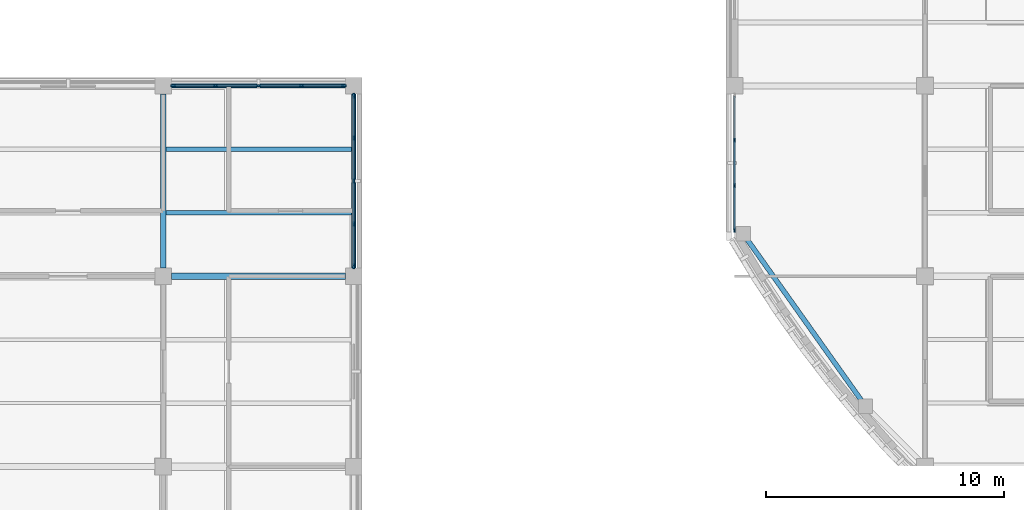
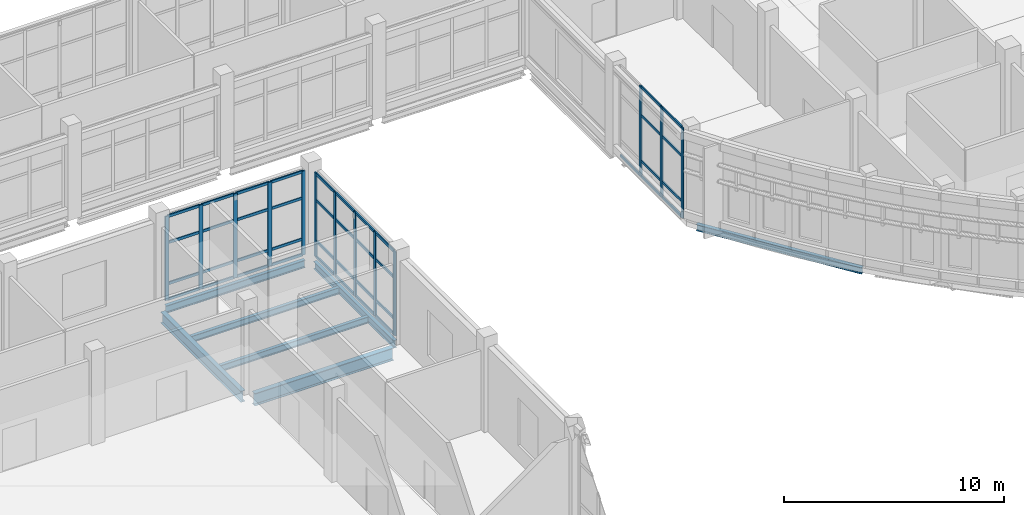
# One storey, part 13 of 105: 54 members, 7 beams, 3 elements without a shape of their own.
"""IFC4 building model written with IfcOpenShell, lengths in metres."""

from ifc_helpers import new_model, si_unit, derived_unit, direction, frame, origin, origin_2d, place, context, subcontext, project, spatial, rectangle, i_section, extrude, material, layer, layer_set, material_profile, profile_set, type_object, element, aggregate, save


model = new_model("IFC4")

# Units and contexts
model_context = context("Model", 3, precision=1e-05, world=origin(), true_north=direction((0.0, 1.0)))
body_context = subcontext(model_context, "Body", "Model", "MODEL_VIEW")
ifc_project = project(units=[si_unit("LENGTHUNIT", "METRE"), si_unit("AREAUNIT", "SQUARE_METRE"), si_unit("VOLUMEUNIT", "CUBIC_METRE"), si_unit("PLANEANGLEUNIT", "RADIAN"), si_unit("MASSUNIT", "GRAM", prefix="KILO"), derived_unit("THERMALTRANSMITTANCEUNIT", [(si_unit("MASSUNIT", "GRAM", prefix="KILO"), 1), (si_unit("TIMEUNIT", "SECOND"), -3), (si_unit("THERMODYNAMICTEMPERATUREUNIT", "KELVIN"), -1)])], contexts=[model_context])

# Site, building, storey
site_placement = place(None, origin())
site = spatial("IfcSite", under=ifc_project, at=site_placement, CompositionType="ELEMENT")
building_placement = place(site_placement, origin())
building = spatial("IfcBuilding", under=site, at=building_placement, Name="Veyamyaing Civic Hall", CompositionType="ELEMENT")
storey_placement = place(building_placement, origin())
storey = spatial("IfcBuildingStorey", under=building, at=storey_placement, Name="L00", CompositionType="ELEMENT", Elevation=0.0)

# Beams
ifc_material_1 = material(Name="Steel ASTM A992", Category="steel")
ifc_material_profile_1 = material_profile(ifc_material_1, i_section(OverallWidth=0.256103515625, OverallDepth=0.693115234375, WebThickness=0.014404296875, FlangeThickness=0.023681640625, FilletRadius=0.013916015625, at=origin_2d()), Name="W690X170")
ifc_profile_set_1 = profile_set([ifc_material_profile_1], Name="Steel ASTM A992")
beam_type_1 = type_object("IfcBeamType", Name="B-04", PredefinedType="BEAM", material=ifc_profile_set_1)
beam_1_placement = place(storey_placement, frame((32.35009765625, 32.0, -0.611572265625), z_axis=(1.0, 0.0, 0.0), x_axis=(0.0, 1.0, 0.0)))
element("IfcBeam", 1, at=beam_1_placement, inside=storey, type_object=beam_type_1, Name="Girder B-04 L00 Grid E 5-6", PredefinedType="BEAM", context=body_context, shape_type="SweptSolid", body=[
    extrude(i_section(OverallWidth=0.256103515625, OverallDepth=0.693115234375, WebThickness=0.014404296875, FlangeThickness=0.023681640625, FilletRadius=0.013916015625, at=origin_2d()), origin(), (0.0, 0.0, 1.0), 7.2998046875),
])
ifc_material_profile_2 = material_profile(ifc_material_1, i_section(OverallWidth=0.22998046875, OverallDepth=0.616943359375, WebThickness=0.01318359375, FlangeThickness=0.022216796875, FilletRadius=0.012939453125, at=origin_2d()), Name="W610X140")
ifc_profile_set_2 = profile_set([ifc_material_profile_2], Name="Steel ASTM A992")
beam_type_2 = type_object("IfcBeamType", Name="B-05", PredefinedType="BEAM", material=ifc_profile_set_2)
beam_2_placement = place(storey_placement, frame((32.0, 32.35009765625, -0.573486328125), z_axis=(0.0, 1.0, 0.0), x_axis=(-1.0, 0.0, 0.0)))
element("IfcBeam", 2, at=beam_2_placement, inside=storey, type_object=beam_type_2, Name="Girder B-05 L00 Grid 5 E-F", PredefinedType="BEAM", context=body_context, shape_type="SweptSolid", body=[
    extrude(i_section(OverallWidth=0.22998046875, OverallDepth=0.616943359375, WebThickness=0.01318359375, FlangeThickness=0.022216796875, FilletRadius=0.012939453125, at=origin_2d()), origin(), (0.0, 0.0, 1.0), 7.2998046875),
])
ifc_material_profile_3 = material_profile(ifc_material_1, i_section(OverallWidth=0.2041015625, OverallDepth=0.35009765625, WebThickness=0.0078125, FlangeThickness=0.01513671875, FilletRadius=0.010009765625, at=origin_2d()), Name="W360X72")
ifc_profile_set_3 = profile_set([ifc_material_profile_3], Name="Steel ASTM A992")
beam_type_3 = type_object("IfcBeamType", Name="B-11", PredefinedType="SPANDREL", material=ifc_profile_set_3)
beam_3_placement = place(storey_placement, frame((56.537353515625, 33.53466796875, -0.449951171875), z_axis=(0.578662285773, -0.815567262109, 0.0), x_axis=(0.815567262109, 0.578662285773, 0.0)))
element("IfcBeam", 3, at=beam_3_placement, inside=storey, type_object=beam_type_3, Name="Curved corner spandrel B-11 L00 SW.1", PredefinedType="SPANDREL", context=body_context, shape_type="SweptSolid", body=[
    extrude(i_section(OverallWidth=0.2041015625, OverallDepth=0.35009765625, WebThickness=0.0078125, FlangeThickness=0.01513671875, FilletRadius=0.010009765625, at=origin_2d()), origin(), (0.0, 0.0, 1.0), 8.284423828125),
])
ifc_material_profile_4 = material_profile(ifc_material_1, i_section(OverallWidth=0.180908203125, OverallDepth=0.4169921875, WebThickness=0.010986328125, FlangeThickness=0.018310546875, FilletRadius=0.010009765625, at=origin_2d()), Name="W410X85")
ifc_profile_set_4 = profile_set([ifc_material_profile_4], Name="Steel ASTM A992")
beam_type_4 = type_object("IfcBeamType", Name="B-19", PredefinedType="SPANDREL", material=ifc_profile_set_4)
for number, where, z_axis, x_axis, name in (
    (4, (32.35009765625, 40.0, -0.473388671875), (1.0, 0.0, 0.0), (0.0, 1.0, 0.0), "Girder B-19 L00 Grid F 5-6"),
    (5, (40.0, 32.35009765625, -0.473388671875), (0.0, 1.0, 0.0), (-1.0, 0.0, 0.0), "Girder B-19 L00 Grid 6 E-F"),
):
    element("IfcBeam", number, at=place(storey_placement, frame(where, z_axis=z_axis, x_axis=x_axis)), inside=storey, type_object=beam_type_4, Name=name, PredefinedType="SPANDREL", context=body_context, shape_type="SweptSolid", body=[
        extrude(i_section(OverallWidth=0.180908203125, OverallDepth=0.4169921875, WebThickness=0.010986328125, FlangeThickness=0.018310546875, FilletRadius=0.010009765625, at=origin_2d()), origin(), (0.0, 0.0, 1.0), 7.2998046875),
    ])

# Curtain wall, members
ifc_material_2 = material(Name="Anodised aluminium 6063-T6", Category="aluminium")
ifc_layer_1 = layer(ifc_material_2, 0.179931640625, Name="Anodised aluminium 6063-T6")
ifc_layer_set_1 = layer_set([ifc_layer_1], Name="Anodised aluminium 6063-T6")
curtain_wall_type_1 = type_object("IfcCurtainWallType", Name="CW-06", PredefinedType="NOTDEFINED", material=ifc_layer_set_1)
curtain_wall_1_placement = place(storey_placement, origin())
curtain_wall_1 = element("IfcCurtainWall", 6, at=curtain_wall_1_placement, inside=storey, type_object=curtain_wall_type_1, Name="Unitized curtain wall CW-06 L00 W 8.5", PredefinedType="NOTDEFINED")
ifc_material_profile_5 = material_profile(ifc_material_2, rectangle(XDim=0.06494140625, YDim=0.179931640625, at=origin_2d()), Name="ALU-MUL-65X180")
ifc_profile_set_5 = profile_set([ifc_material_profile_5], Name="Anodised aluminium 6063-T6")
member_type_1 = type_object("IfcMemberType", Name="CWM-02", PredefinedType="MULLION", material=ifc_profile_set_5)
member_1_placement = place(storey_placement, frame((56.0, 33.931640625, 0.0), z_axis=(0.0, 0.0, 1.0), x_axis=(-1.0, 0.0, 0.0)))
member_1 = element("IfcMember", 7, at=member_1_placement, type_object=member_type_1, Name="CW-06 mullion 1", PredefinedType="MULLION", context=body_context, shape_type="SweptSolid", body=[
    extrude(rectangle(XDim=0.06494140625, YDim=0.179931640625, at=origin_2d()), origin(), (0.0, 0.0, 1.0), 5.034912109375),
])
member_2_placement = place(storey_placement, frame((56.0, 35.80615234375, 0.0), z_axis=(0.0, 0.0, 1.0), x_axis=(-1.0, 0.0, 0.0)))
member_2 = element("IfcMember", 8, at=member_2_placement, type_object=member_type_1, Name="CW-06 mullion 2", PredefinedType="MULLION", context=body_context, shape_type="SweptSolid", body=[
    extrude(rectangle(XDim=0.06494140625, YDim=0.179931640625, at=origin_2d()), origin(), (0.0, 0.0, 1.0), 5.034912109375),
])
member_3_placement = place(storey_placement, frame((56.0, 37.713134765625, 0.0), z_axis=(0.0, 0.0, 1.0), x_axis=(-1.0, 0.0, 0.0)))
member_3 = element("IfcMember", 9, at=member_3_placement, type_object=member_type_1, Name="CW-06 mullion 3", PredefinedType="MULLION", context=body_context, shape_type="SweptSolid", body=[
    extrude(rectangle(XDim=0.06494140625, YDim=0.179931640625, at=origin_2d()), origin(), (0.0, 0.0, 1.0), 5.034912109375),
])

ifc_layer_2 = layer(ifc_material_2, 0.199951171875, Name="Anodised aluminium 6063-T6")
ifc_layer_set_2 = layer_set([ifc_layer_2], Name="Anodised aluminium 6063-T6")
curtain_wall_type_2 = type_object("IfcCurtainWallType", Name="CW-10", PredefinedType="NOTDEFINED", material=ifc_layer_set_2)
curtain_wall_2_placement = place(storey_placement, origin())
curtain_wall_2 = element("IfcCurtainWall", 10, at=curtain_wall_2_placement, inside=storey, type_object=curtain_wall_type_2, Name="Unitized curtain wall CW-10 L00 N 5.5", PredefinedType="NOTDEFINED")
ifc_material_profile_6 = material_profile(ifc_material_2, rectangle(XDim=0.070068359375, YDim=0.199951171875, at=origin_2d()), Name="ALU-MUL-70X200")
ifc_profile_set_6 = profile_set([ifc_material_profile_6], Name="Anodised aluminium 6063-T6")
member_type_2 = type_object("IfcMemberType", Name="CWM-04", PredefinedType="MULLION", material=ifc_profile_set_6)
member_4_placement = place(storey_placement, frame((32.4150390625, 40.0, 0.0), z_axis=(0.0, 0.0, 1.0), x_axis=(0.0, 1.0, 0.0)))
member_4 = element("IfcMember", 11, at=member_4_placement, type_object=member_type_2, Name="CW-10 mullion 1", PredefinedType="MULLION", context=body_context, shape_type="SweptSolid", body=[
    extrude(rectangle(XDim=0.070068359375, YDim=0.199951171875, at=origin_2d()), origin(), (0.0, 0.0, 1.0), 4.674072265625),
])
member_5_placement = place(storey_placement, frame((34.18994140625, 40.0, 0.0), z_axis=(0.0, 0.0, 1.0), x_axis=(0.0, 1.0, 0.0)))
member_5 = element("IfcMember", 12, at=member_5_placement, type_object=member_type_2, Name="CW-10 mullion 2", PredefinedType="MULLION", context=body_context, shape_type="SweptSolid", body=[
    extrude(rectangle(XDim=0.070068359375, YDim=0.199951171875, at=origin_2d()), origin(), (0.0, 0.0, 1.0), 4.674072265625),
])
member_6_placement = place(storey_placement, frame((36.0, 40.0, 0.0), z_axis=(0.0, 0.0, 1.0), x_axis=(0.0, 1.0, 0.0)))
member_6 = element("IfcMember", 13, at=member_6_placement, type_object=member_type_2, Name="CW-10 mullion 3", PredefinedType="MULLION", context=body_context, shape_type="SweptSolid", body=[
    extrude(rectangle(XDim=0.070068359375, YDim=0.199951171875, at=origin_2d()), origin(), (0.0, 0.0, 1.0), 4.674072265625),
])
member_7_placement = place(storey_placement, frame((37.81005859375, 40.0, 0.0), z_axis=(0.0, 0.0, 1.0), x_axis=(0.0, 1.0, 0.0)))
member_7 = element("IfcMember", 14, at=member_7_placement, type_object=member_type_2, Name="CW-10 mullion 4", PredefinedType="MULLION", context=body_context, shape_type="SweptSolid", body=[
    extrude(rectangle(XDim=0.070068359375, YDim=0.199951171875, at=origin_2d()), origin(), (0.0, 0.0, 1.0), 4.674072265625),
])
member_8_placement = place(storey_placement, frame((39.5849609375, 40.0, 0.0), z_axis=(0.0, 0.0, 1.0), x_axis=(0.0, 1.0, 0.0)))
member_8 = element("IfcMember", 15, at=member_8_placement, type_object=member_type_2, Name="CW-10 mullion 5", PredefinedType="MULLION", context=body_context, shape_type="SweptSolid", body=[
    extrude(rectangle(XDim=0.070068359375, YDim=0.199951171875, at=origin_2d()), origin(), (0.0, 0.0, 1.0), 4.674072265625),
])

curtain_wall_3_placement = place(storey_placement, origin())
curtain_wall_3 = element("IfcCurtainWall", 16, at=curtain_wall_3_placement, inside=storey, type_object=curtain_wall_type_2, Name="Unitized curtain wall CW-10 L00 E 5.5", PredefinedType="NOTDEFINED")
member_9_placement = place(storey_placement, frame((40.0, 32.4150390625, 0.0), z_axis=(0.0, 0.0, 1.0), x_axis=(-1.0, 0.0, 0.0)))
member_9 = element("IfcMember", 17, at=member_9_placement, type_object=member_type_2, Name="CW-10 mullion 1", PredefinedType="MULLION", context=body_context, shape_type="SweptSolid", body=[
    extrude(rectangle(XDim=0.070068359375, YDim=0.199951171875, at=origin_2d()), origin(), (0.0, 0.0, 1.0), 4.674072265625),
])
member_10_placement = place(storey_placement, frame((40.0, 34.18994140625, 0.0), z_axis=(0.0, 0.0, 1.0), x_axis=(-1.0, 0.0, 0.0)))
member_10 = element("IfcMember", 18, at=member_10_placement, type_object=member_type_2, Name="CW-10 mullion 2", PredefinedType="MULLION", context=body_context, shape_type="SweptSolid", body=[
    extrude(rectangle(XDim=0.070068359375, YDim=0.199951171875, at=origin_2d()), origin(), (0.0, 0.0, 1.0), 4.674072265625),
])
member_11_placement = place(storey_placement, frame((40.0, 36.0, 0.0), z_axis=(0.0, 0.0, 1.0), x_axis=(-1.0, 0.0, 0.0)))
member_11 = element("IfcMember", 19, at=member_11_placement, type_object=member_type_2, Name="CW-10 mullion 3", PredefinedType="MULLION", context=body_context, shape_type="SweptSolid", body=[
    extrude(rectangle(XDim=0.070068359375, YDim=0.199951171875, at=origin_2d()), origin(), (0.0, 0.0, 1.0), 4.674072265625),
])
member_12_placement = place(storey_placement, frame((40.0, 37.81005859375, 0.0), z_axis=(0.0, 0.0, 1.0), x_axis=(-1.0, 0.0, 0.0)))
member_12 = element("IfcMember", 20, at=member_12_placement, type_object=member_type_2, Name="CW-10 mullion 4", PredefinedType="MULLION", context=body_context, shape_type="SweptSolid", body=[
    extrude(rectangle(XDim=0.070068359375, YDim=0.199951171875, at=origin_2d()), origin(), (0.0, 0.0, 1.0), 4.674072265625),
])
member_13_placement = place(storey_placement, frame((40.0, 39.5849609375, 0.0), z_axis=(0.0, 0.0, 1.0), x_axis=(-1.0, 0.0, 0.0)))
member_13 = element("IfcMember", 21, at=member_13_placement, type_object=member_type_2, Name="CW-10 mullion 5", PredefinedType="MULLION", context=body_context, shape_type="SweptSolid", body=[
    extrude(rectangle(XDim=0.070068359375, YDim=0.199951171875, at=origin_2d()), origin(), (0.0, 0.0, 1.0), 4.674072265625),
])

# Member
ifc_material_profile_7 = material_profile(ifc_material_2, rectangle(XDim=0.06494140625, YDim=0.139892578125, at=origin_2d()), Name="ALU-TRN-65X140")
ifc_profile_set_7 = profile_set([ifc_material_profile_7], Name="Anodised aluminium 6063-T6")
member_type_3 = type_object("IfcMemberType", Name="CWT-02", PredefinedType="USERDEFINED", material=ifc_profile_set_7)
member_14_placement = place(storey_placement, frame((56.0, 33.964111328125, 0.032470703125), z_axis=(0.0, 1.0, 0.0), x_axis=(-1.0, 0.0, 0.0)))
member_14 = element("IfcMember", 22, at=member_14_placement, type_object=member_type_3, Name="CW-06 transom 1.1", ObjectType="TRANSOM", PredefinedType="USERDEFINED", context=body_context, shape_type="SweptSolid", body=[
    extrude(rectangle(XDim=0.06494140625, YDim=0.139892578125, at=origin_2d()), origin(), (0.0, 0.0, 1.0), 1.8095703125),
])

member_15_placement = place(storey_placement, frame((56.0, 33.964111328125, 0.89990234375), z_axis=(0.0, 1.0, 0.0), x_axis=(-1.0, 0.0, 0.0)))
member_15 = element("IfcMember", 23, at=member_15_placement, type_object=member_type_3, Name="CW-06 transom 1.2", ObjectType="TRANSOM", PredefinedType="USERDEFINED", context=body_context, shape_type="SweptSolid", body=[
    extrude(rectangle(XDim=0.06494140625, YDim=0.139892578125, at=origin_2d()), origin(), (0.0, 0.0, 1.0), 1.8095703125),
])

member_16_placement = place(storey_placement, frame((56.0, 33.964111328125, 3.423828125), z_axis=(0.0, 1.0, 0.0), x_axis=(-1.0, 0.0, 0.0)))
member_16 = element("IfcMember", 24, at=member_16_placement, type_object=member_type_3, Name="CW-06 transom 1.3", ObjectType="TRANSOM", PredefinedType="USERDEFINED", context=body_context, shape_type="SweptSolid", body=[
    extrude(rectangle(XDim=0.06494140625, YDim=0.139892578125, at=origin_2d()), origin(), (0.0, 0.0, 1.0), 1.8095703125),
])

member_17_placement = place(storey_placement, frame((56.0, 33.964111328125, 5.00244140625), z_axis=(0.0, 1.0, 0.0), x_axis=(-1.0, 0.0, 0.0)))
member_17 = element("IfcMember", 25, at=member_17_placement, type_object=member_type_3, Name="CW-06 transom 1.4", ObjectType="TRANSOM", PredefinedType="USERDEFINED", context=body_context, shape_type="SweptSolid", body=[
    extrude(rectangle(XDim=0.06494140625, YDim=0.139892578125, at=origin_2d()), origin(), (0.0, 0.0, 1.0), 1.8095703125),
])

member_18_placement = place(storey_placement, frame((56.0, 35.838623046875, 0.032470703125), z_axis=(0.0, 1.0, 0.0), x_axis=(-1.0, 0.0, 0.0)))
member_18 = element("IfcMember", 26, at=member_18_placement, type_object=member_type_3, Name="CW-06 transom 2.1", ObjectType="TRANSOM", PredefinedType="USERDEFINED", context=body_context, shape_type="SweptSolid", body=[
    extrude(rectangle(XDim=0.06494140625, YDim=0.139892578125, at=origin_2d()), origin(), (0.0, 0.0, 1.0), 1.842041015625),
])

member_19_placement = place(storey_placement, frame((56.0, 35.838623046875, 0.89990234375), z_axis=(0.0, 1.0, 0.0), x_axis=(-1.0, 0.0, 0.0)))
member_19 = element("IfcMember", 27, at=member_19_placement, type_object=member_type_3, Name="CW-06 transom 2.2", ObjectType="TRANSOM", PredefinedType="USERDEFINED", context=body_context, shape_type="SweptSolid", body=[
    extrude(rectangle(XDim=0.06494140625, YDim=0.139892578125, at=origin_2d()), origin(), (0.0, 0.0, 1.0), 1.842041015625),
])

member_20_placement = place(storey_placement, frame((56.0, 35.838623046875, 3.423828125), z_axis=(0.0, 1.0, 0.0), x_axis=(-1.0, 0.0, 0.0)))
member_20 = element("IfcMember", 28, at=member_20_placement, type_object=member_type_3, Name="CW-06 transom 2.3", ObjectType="TRANSOM", PredefinedType="USERDEFINED", context=body_context, shape_type="SweptSolid", body=[
    extrude(rectangle(XDim=0.06494140625, YDim=0.139892578125, at=origin_2d()), origin(), (0.0, 0.0, 1.0), 1.842041015625),
])

member_21_placement = place(storey_placement, frame((56.0, 35.838623046875, 5.00244140625), z_axis=(0.0, 1.0, 0.0), x_axis=(-1.0, 0.0, 0.0)))
member_21 = element("IfcMember", 29, at=member_21_placement, type_object=member_type_3, Name="CW-06 transom 2.4", ObjectType="TRANSOM", PredefinedType="USERDEFINED", context=body_context, shape_type="SweptSolid", body=[
    extrude(rectangle(XDim=0.06494140625, YDim=0.139892578125, at=origin_2d()), origin(), (0.0, 0.0, 1.0), 1.842041015625),
])

member_22_placement = place(storey_placement, frame((56.0, 37.74560546875, 0.032470703125), z_axis=(0.0, 1.0, 0.0), x_axis=(-1.0, 0.0, 0.0)))
member_22 = element("IfcMember", 30, at=member_22_placement, type_object=member_type_3, Name="CW-06 transom 3.1", ObjectType="TRANSOM", PredefinedType="USERDEFINED", context=body_context, shape_type="SweptSolid", body=[
    extrude(rectangle(XDim=0.06494140625, YDim=0.139892578125, at=origin_2d()), origin(), (0.0, 0.0, 1.0), 1.809326171875),
])

aggregate(curtain_wall_1, [member_1, member_2, member_3, member_14, member_15, member_16, member_17, member_18, member_19, member_20, member_21, member_22])

ifc_material_profile_8 = material_profile(ifc_material_2, rectangle(XDim=0.070068359375, YDim=0.14990234375, at=origin_2d()), Name="ALU-TRN-70X150")
ifc_profile_set_8 = profile_set([ifc_material_profile_8], Name="Anodised aluminium 6063-T6")
member_type_4 = type_object("IfcMemberType", Name="CWT-04", PredefinedType="USERDEFINED", material=ifc_profile_set_8)
member_23_placement = place(storey_placement, frame((32.449951171875, 40.0, 0.034912109375), z_axis=(1.0, 0.0, 0.0), x_axis=(0.0, 1.0, 0.0)))
member_23 = element("IfcMember", 31, at=member_23_placement, type_object=member_type_4, Name="CW-10 transom 1.1", ObjectType="TRANSOM", PredefinedType="USERDEFINED", context=body_context, shape_type="SweptSolid", body=[
    extrude(rectangle(XDim=0.070068359375, YDim=0.14990234375, at=origin_2d()), origin(), (0.0, 0.0, 1.0), 1.705078125),
])

member_24_placement = place(storey_placement, frame((32.449951171875, 40.0, 0.89990234375), z_axis=(1.0, 0.0, 0.0), x_axis=(0.0, 1.0, 0.0)))
member_24 = element("IfcMember", 32, at=member_24_placement, type_object=member_type_4, Name="CW-10 transom 1.2", ObjectType="TRANSOM", PredefinedType="USERDEFINED", context=body_context, shape_type="SweptSolid", body=[
    extrude(rectangle(XDim=0.070068359375, YDim=0.14990234375, at=origin_2d()), origin(), (0.0, 0.0, 1.0), 1.705078125),
])

member_25_placement = place(storey_placement, frame((32.449951171875, 40.0, 3.17822265625), z_axis=(1.0, 0.0, 0.0), x_axis=(0.0, 1.0, 0.0)))
member_25 = element("IfcMember", 33, at=member_25_placement, type_object=member_type_4, Name="CW-10 transom 1.3", ObjectType="TRANSOM", PredefinedType="USERDEFINED", context=body_context, shape_type="SweptSolid", body=[
    extrude(rectangle(XDim=0.070068359375, YDim=0.14990234375, at=origin_2d()), origin(), (0.0, 0.0, 1.0), 1.705078125),
])

member_26_placement = place(storey_placement, frame((32.449951171875, 40.0, 4.638916015625), z_axis=(1.0, 0.0, 0.0), x_axis=(0.0, 1.0, 0.0)))
member_26 = element("IfcMember", 34, at=member_26_placement, type_object=member_type_4, Name="CW-10 transom 1.4", ObjectType="TRANSOM", PredefinedType="USERDEFINED", context=body_context, shape_type="SweptSolid", body=[
    extrude(rectangle(XDim=0.070068359375, YDim=0.14990234375, at=origin_2d()), origin(), (0.0, 0.0, 1.0), 1.705078125),
])

member_27_placement = place(storey_placement, frame((34.22509765625, 40.0, 0.034912109375), z_axis=(1.0, 0.0, 0.0), x_axis=(0.0, 1.0, 0.0)))
member_27 = element("IfcMember", 35, at=member_27_placement, type_object=member_type_4, Name="CW-10 transom 2.1", ObjectType="TRANSOM", PredefinedType="USERDEFINED", context=body_context, shape_type="SweptSolid", body=[
    extrude(rectangle(XDim=0.070068359375, YDim=0.14990234375, at=origin_2d()), origin(), (0.0, 0.0, 1.0), 1.739990234375),
])

member_28_placement = place(storey_placement, frame((34.22509765625, 40.0, 0.89990234375), z_axis=(1.0, 0.0, 0.0), x_axis=(0.0, 1.0, 0.0)))
member_28 = element("IfcMember", 36, at=member_28_placement, type_object=member_type_4, Name="CW-10 transom 2.2", ObjectType="TRANSOM", PredefinedType="USERDEFINED", context=body_context, shape_type="SweptSolid", body=[
    extrude(rectangle(XDim=0.070068359375, YDim=0.14990234375, at=origin_2d()), origin(), (0.0, 0.0, 1.0), 1.739990234375),
])

member_29_placement = place(storey_placement, frame((34.22509765625, 40.0, 3.17822265625), z_axis=(1.0, 0.0, 0.0), x_axis=(0.0, 1.0, 0.0)))
member_29 = element("IfcMember", 37, at=member_29_placement, type_object=member_type_4, Name="CW-10 transom 2.3", ObjectType="TRANSOM", PredefinedType="USERDEFINED", context=body_context, shape_type="SweptSolid", body=[
    extrude(rectangle(XDim=0.070068359375, YDim=0.14990234375, at=origin_2d()), origin(), (0.0, 0.0, 1.0), 1.739990234375),
])

member_30_placement = place(storey_placement, frame((34.22509765625, 40.0, 4.638916015625), z_axis=(1.0, 0.0, 0.0), x_axis=(0.0, 1.0, 0.0)))
member_30 = element("IfcMember", 38, at=member_30_placement, type_object=member_type_4, Name="CW-10 transom 2.4", ObjectType="TRANSOM", PredefinedType="USERDEFINED", context=body_context, shape_type="SweptSolid", body=[
    extrude(rectangle(XDim=0.070068359375, YDim=0.14990234375, at=origin_2d()), origin(), (0.0, 0.0, 1.0), 1.739990234375),
])

member_31_placement = place(storey_placement, frame((36.034912109375, 40.0, 0.034912109375), z_axis=(1.0, 0.0, 0.0), x_axis=(0.0, 1.0, 0.0)))
member_31 = element("IfcMember", 39, at=member_31_placement, type_object=member_type_4, Name="CW-10 transom 3.1", ObjectType="TRANSOM", PredefinedType="USERDEFINED", context=body_context, shape_type="SweptSolid", body=[
    extrude(rectangle(XDim=0.070068359375, YDim=0.14990234375, at=origin_2d()), origin(), (0.0, 0.0, 1.0), 1.739990234375),
])

member_32_placement = place(storey_placement, frame((36.034912109375, 40.0, 0.89990234375), z_axis=(1.0, 0.0, 0.0), x_axis=(0.0, 1.0, 0.0)))
member_32 = element("IfcMember", 40, at=member_32_placement, type_object=member_type_4, Name="CW-10 transom 3.2", ObjectType="TRANSOM", PredefinedType="USERDEFINED", context=body_context, shape_type="SweptSolid", body=[
    extrude(rectangle(XDim=0.070068359375, YDim=0.14990234375, at=origin_2d()), origin(), (0.0, 0.0, 1.0), 1.739990234375),
])

member_33_placement = place(storey_placement, frame((36.034912109375, 40.0, 3.17822265625), z_axis=(1.0, 0.0, 0.0), x_axis=(0.0, 1.0, 0.0)))
member_33 = element("IfcMember", 41, at=member_33_placement, type_object=member_type_4, Name="CW-10 transom 3.3", ObjectType="TRANSOM", PredefinedType="USERDEFINED", context=body_context, shape_type="SweptSolid", body=[
    extrude(rectangle(XDim=0.070068359375, YDim=0.14990234375, at=origin_2d()), origin(), (0.0, 0.0, 1.0), 1.739990234375),
])

member_34_placement = place(storey_placement, frame((36.034912109375, 40.0, 4.638916015625), z_axis=(1.0, 0.0, 0.0), x_axis=(0.0, 1.0, 0.0)))
member_34 = element("IfcMember", 42, at=member_34_placement, type_object=member_type_4, Name="CW-10 transom 3.4", ObjectType="TRANSOM", PredefinedType="USERDEFINED", context=body_context, shape_type="SweptSolid", body=[
    extrude(rectangle(XDim=0.070068359375, YDim=0.14990234375, at=origin_2d()), origin(), (0.0, 0.0, 1.0), 1.739990234375),
])

member_35_placement = place(storey_placement, frame((37.844970703125, 40.0, 0.034912109375), z_axis=(1.0, 0.0, 0.0), x_axis=(0.0, 1.0, 0.0)))
member_35 = element("IfcMember", 43, at=member_35_placement, type_object=member_type_4, Name="CW-10 transom 4.1", ObjectType="TRANSOM", PredefinedType="USERDEFINED", context=body_context, shape_type="SweptSolid", body=[
    extrude(rectangle(XDim=0.070068359375, YDim=0.14990234375, at=origin_2d()), origin(), (0.0, 0.0, 1.0), 1.705078125),
])

member_36_placement = place(storey_placement, frame((37.844970703125, 40.0, 0.89990234375), z_axis=(1.0, 0.0, 0.0), x_axis=(0.0, 1.0, 0.0)))
member_36 = element("IfcMember", 44, at=member_36_placement, type_object=member_type_4, Name="CW-10 transom 4.2", ObjectType="TRANSOM", PredefinedType="USERDEFINED", context=body_context, shape_type="SweptSolid", body=[
    extrude(rectangle(XDim=0.070068359375, YDim=0.14990234375, at=origin_2d()), origin(), (0.0, 0.0, 1.0), 1.705078125),
])

member_37_placement = place(storey_placement, frame((37.844970703125, 40.0, 3.17822265625), z_axis=(1.0, 0.0, 0.0), x_axis=(0.0, 1.0, 0.0)))
member_37 = element("IfcMember", 45, at=member_37_placement, type_object=member_type_4, Name="CW-10 transom 4.3", ObjectType="TRANSOM", PredefinedType="USERDEFINED", context=body_context, shape_type="SweptSolid", body=[
    extrude(rectangle(XDim=0.070068359375, YDim=0.14990234375, at=origin_2d()), origin(), (0.0, 0.0, 1.0), 1.705078125),
])

member_38_placement = place(storey_placement, frame((37.844970703125, 40.0, 4.638916015625), z_axis=(1.0, 0.0, 0.0), x_axis=(0.0, 1.0, 0.0)))
member_38 = element("IfcMember", 46, at=member_38_placement, type_object=member_type_4, Name="CW-10 transom 4.4", ObjectType="TRANSOM", PredefinedType="USERDEFINED", context=body_context, shape_type="SweptSolid", body=[
    extrude(rectangle(XDim=0.070068359375, YDim=0.14990234375, at=origin_2d()), origin(), (0.0, 0.0, 1.0), 1.705078125),
])

aggregate(curtain_wall_2, [member_4, member_5, member_6, member_7, member_8, member_23, member_24, member_25, member_26, member_27, member_28, member_29, member_30, member_31, member_32, member_33, member_34, member_35, member_36, member_37, member_38])

member_39_placement = place(storey_placement, frame((40.0, 32.449951171875, 0.034912109375), z_axis=(0.0, 1.0, 0.0), x_axis=(-1.0, 0.0, 0.0)))
member_39 = element("IfcMember", 47, at=member_39_placement, type_object=member_type_4, Name="CW-10 transom 1.1", ObjectType="TRANSOM", PredefinedType="USERDEFINED", context=body_context, shape_type="SweptSolid", body=[
    extrude(rectangle(XDim=0.070068359375, YDim=0.14990234375, at=origin_2d()), origin(), (0.0, 0.0, 1.0), 1.705078125),
])

member_40_placement = place(storey_placement, frame((40.0, 32.449951171875, 0.89990234375), z_axis=(0.0, 1.0, 0.0), x_axis=(-1.0, 0.0, 0.0)))
member_40 = element("IfcMember", 48, at=member_40_placement, type_object=member_type_4, Name="CW-10 transom 1.2", ObjectType="TRANSOM", PredefinedType="USERDEFINED", context=body_context, shape_type="SweptSolid", body=[
    extrude(rectangle(XDim=0.070068359375, YDim=0.14990234375, at=origin_2d()), origin(), (0.0, 0.0, 1.0), 1.705078125),
])

member_41_placement = place(storey_placement, frame((40.0, 32.449951171875, 3.17822265625), z_axis=(0.0, 1.0, 0.0), x_axis=(-1.0, 0.0, 0.0)))
member_41 = element("IfcMember", 49, at=member_41_placement, type_object=member_type_4, Name="CW-10 transom 1.3", ObjectType="TRANSOM", PredefinedType="USERDEFINED", context=body_context, shape_type="SweptSolid", body=[
    extrude(rectangle(XDim=0.070068359375, YDim=0.14990234375, at=origin_2d()), origin(), (0.0, 0.0, 1.0), 1.705078125),
])

member_42_placement = place(storey_placement, frame((40.0, 32.449951171875, 4.638916015625), z_axis=(0.0, 1.0, 0.0), x_axis=(-1.0, 0.0, 0.0)))
member_42 = element("IfcMember", 50, at=member_42_placement, type_object=member_type_4, Name="CW-10 transom 1.4", ObjectType="TRANSOM", PredefinedType="USERDEFINED", context=body_context, shape_type="SweptSolid", body=[
    extrude(rectangle(XDim=0.070068359375, YDim=0.14990234375, at=origin_2d()), origin(), (0.0, 0.0, 1.0), 1.705078125),
])

member_43_placement = place(storey_placement, frame((40.0, 34.22509765625, 0.034912109375), z_axis=(0.0, 1.0, 0.0), x_axis=(-1.0, 0.0, 0.0)))
member_43 = element("IfcMember", 51, at=member_43_placement, type_object=member_type_4, Name="CW-10 transom 2.1", ObjectType="TRANSOM", PredefinedType="USERDEFINED", context=body_context, shape_type="SweptSolid", body=[
    extrude(rectangle(XDim=0.070068359375, YDim=0.14990234375, at=origin_2d()), origin(), (0.0, 0.0, 1.0), 1.739990234375),
])

member_44_placement = place(storey_placement, frame((40.0, 34.22509765625, 0.89990234375), z_axis=(0.0, 1.0, 0.0), x_axis=(-1.0, 0.0, 0.0)))
member_44 = element("IfcMember", 52, at=member_44_placement, type_object=member_type_4, Name="CW-10 transom 2.2", ObjectType="TRANSOM", PredefinedType="USERDEFINED", context=body_context, shape_type="SweptSolid", body=[
    extrude(rectangle(XDim=0.070068359375, YDim=0.14990234375, at=origin_2d()), origin(), (0.0, 0.0, 1.0), 1.739990234375),
])

member_45_placement = place(storey_placement, frame((40.0, 34.22509765625, 3.17822265625), z_axis=(0.0, 1.0, 0.0), x_axis=(-1.0, 0.0, 0.0)))
member_45 = element("IfcMember", 53, at=member_45_placement, type_object=member_type_4, Name="CW-10 transom 2.3", ObjectType="TRANSOM", PredefinedType="USERDEFINED", context=body_context, shape_type="SweptSolid", body=[
    extrude(rectangle(XDim=0.070068359375, YDim=0.14990234375, at=origin_2d()), origin(), (0.0, 0.0, 1.0), 1.739990234375),
])

member_46_placement = place(storey_placement, frame((40.0, 34.22509765625, 4.638916015625), z_axis=(0.0, 1.0, 0.0), x_axis=(-1.0, 0.0, 0.0)))
member_46 = element("IfcMember", 54, at=member_46_placement, type_object=member_type_4, Name="CW-10 transom 2.4", ObjectType="TRANSOM", PredefinedType="USERDEFINED", context=body_context, shape_type="SweptSolid", body=[
    extrude(rectangle(XDim=0.070068359375, YDim=0.14990234375, at=origin_2d()), origin(), (0.0, 0.0, 1.0), 1.739990234375),
])

member_47_placement = place(storey_placement, frame((40.0, 36.034912109375, 0.034912109375), z_axis=(0.0, 1.0, 0.0), x_axis=(-1.0, 0.0, 0.0)))
member_47 = element("IfcMember", 55, at=member_47_placement, type_object=member_type_4, Name="CW-10 transom 3.1", ObjectType="TRANSOM", PredefinedType="USERDEFINED", context=body_context, shape_type="SweptSolid", body=[
    extrude(rectangle(XDim=0.070068359375, YDim=0.14990234375, at=origin_2d()), origin(), (0.0, 0.0, 1.0), 1.739990234375),
])

member_48_placement = place(storey_placement, frame((40.0, 36.034912109375, 0.89990234375), z_axis=(0.0, 1.0, 0.0), x_axis=(-1.0, 0.0, 0.0)))
member_48 = element("IfcMember", 56, at=member_48_placement, type_object=member_type_4, Name="CW-10 transom 3.2", ObjectType="TRANSOM", PredefinedType="USERDEFINED", context=body_context, shape_type="SweptSolid", body=[
    extrude(rectangle(XDim=0.070068359375, YDim=0.14990234375, at=origin_2d()), origin(), (0.0, 0.0, 1.0), 1.739990234375),
])

member_49_placement = place(storey_placement, frame((40.0, 36.034912109375, 3.17822265625), z_axis=(0.0, 1.0, 0.0), x_axis=(-1.0, 0.0, 0.0)))
member_49 = element("IfcMember", 57, at=member_49_placement, type_object=member_type_4, Name="CW-10 transom 3.3", ObjectType="TRANSOM", PredefinedType="USERDEFINED", context=body_context, shape_type="SweptSolid", body=[
    extrude(rectangle(XDim=0.070068359375, YDim=0.14990234375, at=origin_2d()), origin(), (0.0, 0.0, 1.0), 1.739990234375),
])

member_50_placement = place(storey_placement, frame((40.0, 36.034912109375, 4.638916015625), z_axis=(0.0, 1.0, 0.0), x_axis=(-1.0, 0.0, 0.0)))
member_50 = element("IfcMember", 58, at=member_50_placement, type_object=member_type_4, Name="CW-10 transom 3.4", ObjectType="TRANSOM", PredefinedType="USERDEFINED", context=body_context, shape_type="SweptSolid", body=[
    extrude(rectangle(XDim=0.070068359375, YDim=0.14990234375, at=origin_2d()), origin(), (0.0, 0.0, 1.0), 1.739990234375),
])

member_51_placement = place(storey_placement, frame((40.0, 37.844970703125, 0.034912109375), z_axis=(0.0, 1.0, 0.0), x_axis=(-1.0, 0.0, 0.0)))
member_51 = element("IfcMember", 59, at=member_51_placement, type_object=member_type_4, Name="CW-10 transom 4.1", ObjectType="TRANSOM", PredefinedType="USERDEFINED", context=body_context, shape_type="SweptSolid", body=[
    extrude(rectangle(XDim=0.070068359375, YDim=0.14990234375, at=origin_2d()), origin(), (0.0, 0.0, 1.0), 1.705078125),
])

member_52_placement = place(storey_placement, frame((40.0, 37.844970703125, 0.89990234375), z_axis=(0.0, 1.0, 0.0), x_axis=(-1.0, 0.0, 0.0)))
member_52 = element("IfcMember", 60, at=member_52_placement, type_object=member_type_4, Name="CW-10 transom 4.2", ObjectType="TRANSOM", PredefinedType="USERDEFINED", context=body_context, shape_type="SweptSolid", body=[
    extrude(rectangle(XDim=0.070068359375, YDim=0.14990234375, at=origin_2d()), origin(), (0.0, 0.0, 1.0), 1.705078125),
])

member_53_placement = place(storey_placement, frame((40.0, 37.844970703125, 3.17822265625), z_axis=(0.0, 1.0, 0.0), x_axis=(-1.0, 0.0, 0.0)))
member_53 = element("IfcMember", 61, at=member_53_placement, type_object=member_type_4, Name="CW-10 transom 4.3", ObjectType="TRANSOM", PredefinedType="USERDEFINED", context=body_context, shape_type="SweptSolid", body=[
    extrude(rectangle(XDim=0.070068359375, YDim=0.14990234375, at=origin_2d()), origin(), (0.0, 0.0, 1.0), 1.705078125),
])

member_54_placement = place(storey_placement, frame((40.0, 37.844970703125, 4.638916015625), z_axis=(0.0, 1.0, 0.0), x_axis=(-1.0, 0.0, 0.0)))
member_54 = element("IfcMember", 62, at=member_54_placement, type_object=member_type_4, Name="CW-10 transom 4.4", ObjectType="TRANSOM", PredefinedType="USERDEFINED", context=body_context, shape_type="SweptSolid", body=[
    extrude(rectangle(XDim=0.070068359375, YDim=0.14990234375, at=origin_2d()), origin(), (0.0, 0.0, 1.0), 1.705078125),
])

aggregate(curtain_wall_3, [member_9, member_10, member_11, member_12, member_13, member_39, member_40, member_41, member_42, member_43, member_44, member_45, member_46, member_47, member_48, member_49, member_50, member_51, member_52, member_53, member_54])

# Beams
ifc_material_profile_9 = material_profile(ifc_material_1, i_section(OverallWidth=0.172119140625, OverallDepth=0.35791015625, WebThickness=0.0078125, FlangeThickness=0.01318359375, FilletRadius=0.010009765625, at=origin_2d()), Name="W360X57")
ifc_profile_set_9 = profile_set([ifc_material_profile_9], Name="Steel ASTM A992")
beam_type_5 = type_object("IfcBeamType", Name="J-02", PredefinedType="JOIST", material=ifc_profile_set_9)
for number, where, z_axis, x_axis, name in (
    (63, (32.113037109375, 34.666748046875, -0.444091796875), (1.0, 0.0, 0.0), (0.0, 1.0, 0.0), "Composite floor joist J-02 L00 5.5.1"),
    (64, (32.113037109375, 37.333251953125, -0.444091796875), (1.0, 0.0, 0.0), (0.0, 1.0, 0.0), "Composite floor joist J-02 L00 5.5.2"),
):
    element("IfcBeam", number, at=place(storey_placement, frame(where, z_axis=z_axis, x_axis=x_axis)), inside=storey, type_object=beam_type_5, Name=name, PredefinedType="JOIST", context=body_context, shape_type="SweptSolid", body=[
        extrude(i_section(OverallWidth=0.172119140625, OverallDepth=0.35791015625, WebThickness=0.0078125, FlangeThickness=0.01318359375, FilletRadius=0.010009765625, at=origin_2d()), origin(), (0.0, 0.0, 1.0), 7.798583984375),
    ])

save(model, "model.ifc")
